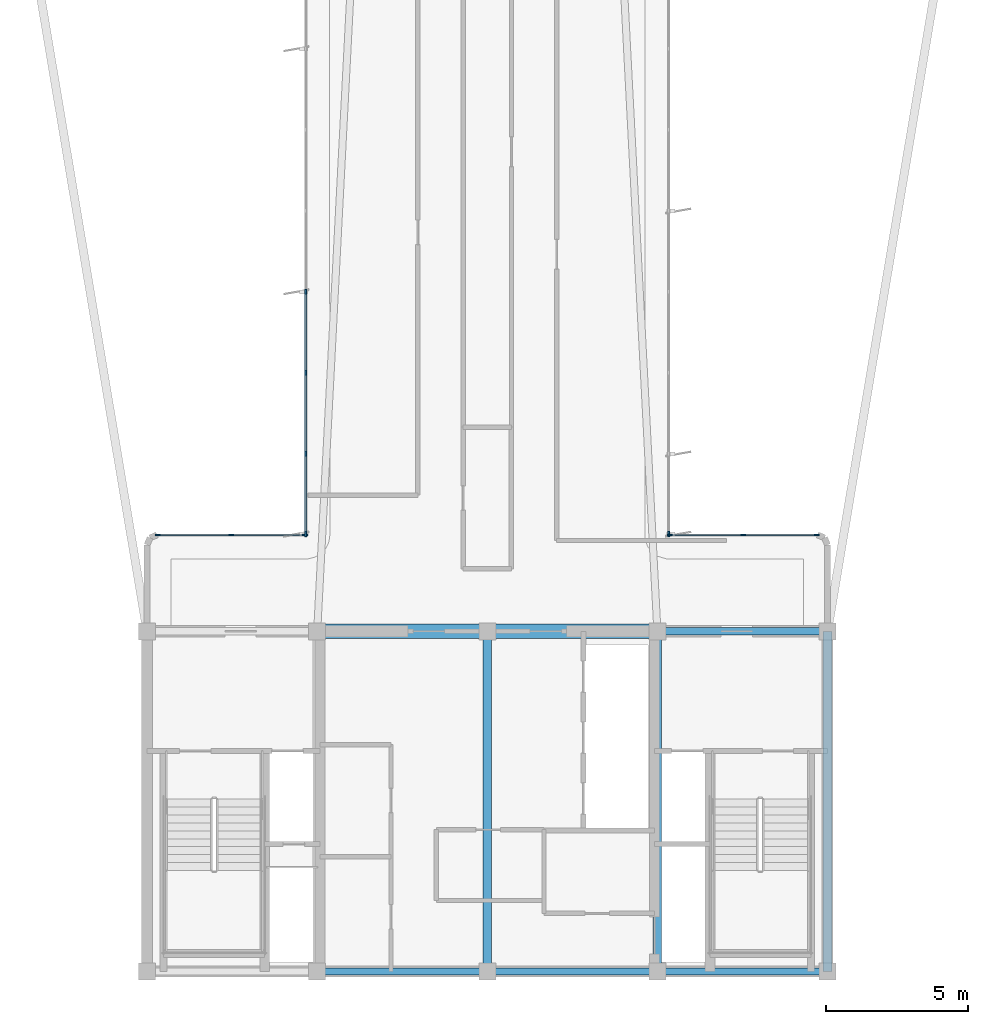
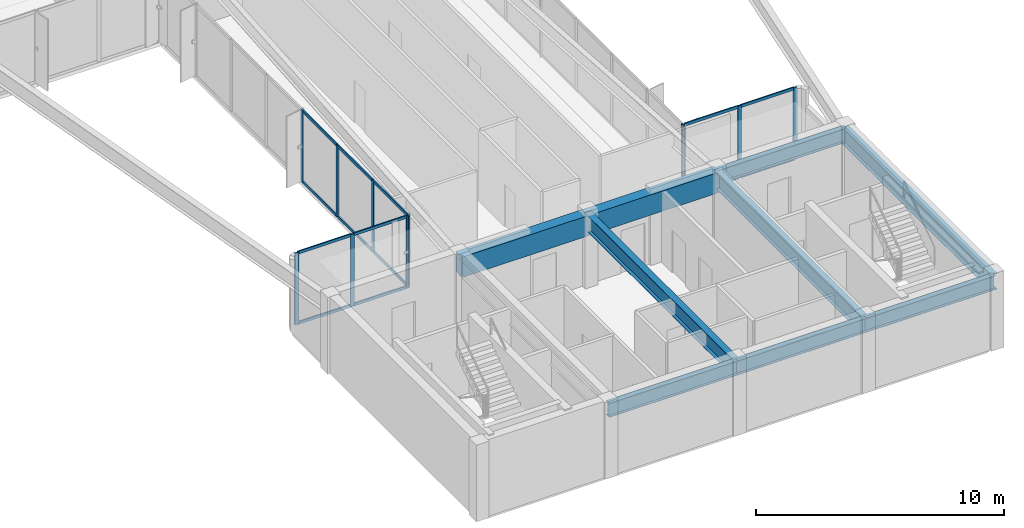
# One storey, part 2 of 16: 25 members, 8 beams, 4 elements without a shape of their own.
"""IFC4 building model written with IfcOpenShell, lengths in metres."""

from ifc_helpers import new_model, si_unit, direction, frame, origin, origin_2d, place, context, subcontext, project, spatial, rectangle, i_section, extrude, source, transform, mapped, material, layer, layer_set, material_profile, profile_set, type_object, element, aggregate, save


model = new_model("IFC4")

# Units and contexts
model_context = context("Model", 3, precision=1e-05, world=origin(), true_north=direction((0.0, 1.0)))
body_context = subcontext(model_context, "Body", "Model", "MODEL_VIEW")
ifc_project = project(units=[si_unit("LENGTHUNIT", "METRE"), si_unit("AREAUNIT", "SQUARE_METRE"), si_unit("VOLUMEUNIT", "CUBIC_METRE"), si_unit("PLANEANGLEUNIT", "RADIAN"), si_unit("MASSUNIT", "GRAM", prefix="KILO")], contexts=[model_context])

# Site, building, storey
site_placement = place(None, origin())
site = spatial("IfcSite", under=ifc_project, at=site_placement, CompositionType="ELEMENT")
building_placement = place(site_placement, origin())
building = spatial("IfcBuilding", under=site, at=building_placement, Name="Brelvock Crest Care Tower", CompositionType="ELEMENT")
storey_placement = place(building_placement, frame((0.0, 0.0, 234.360107421875)))
storey = spatial("IfcBuildingStorey", under=building, at=storey_placement, Name="L59", CompositionType="ELEMENT", Elevation=234.360107421875)

# Beams
ifc_material_1 = material(Name="Steel Grade 350", Category="steel")
ifc_material_profile_1 = material_profile(ifc_material_1, i_section(OverallWidth=0.25, OverallDepth=0.699951171875, WebThickness=0.011962890625, FlangeThickness=0.02001953125, at=origin_2d()), Name="700WB150")
ifc_profile_set_1 = profile_set([ifc_material_profile_1], Name="Steel Grade 350")
beam_type_1 = type_object("IfcBeamType", Name="BM-G4", PredefinedType="BEAM", material=ifc_profile_set_1)
shared_shape_1 = source(origin(), body_context, "Body", "SweptSolid", [
    extrude(i_section(OverallWidth=0.25, OverallDepth=0.699951171875, WebThickness=0.011962890625, FlangeThickness=0.02001953125, at=origin_2d()), origin(), (0.0, 0.0, 1.0), 6.0),
])
for number, where, z_axis, x_axis, name in (
    (1, (30.0, 6.0, 3.179931640625), (1.0, 0.0, 0.0), (0.0, 1.0, 0.0), "BM-CORES-L59-2"),
    (2, (36.0, 6.0, 3.179931640625), (1.0, 0.0, 0.0), (0.0, 1.0, 0.0), "BM-CORES-L59-3"),
    (3, (42.0, 6.0, 3.179931640625), (1.0, 0.0, 0.0), (0.0, 1.0, 0.0), "BM-CORES-L59-4"),
    (4, (42.0, 18.0, 3.179931640625), (1.0, 0.0, 0.0), (0.0, 1.0, 0.0), "BM-COREN-L59-4"),
):
    element("IfcBeam", number, at=place(storey_placement, frame(where, z_axis=z_axis, x_axis=x_axis)), inside=storey, type_object=beam_type_1, Name=name, PredefinedType="BEAM", context=body_context, shape_type="MappedRepresentation", body=[
        mapped(shared_shape_1, transform((0.0, 0.0, 0.0), x_axis=(1.0, 0.0, 0.0), y_axis=(0.0, 1.0, 0.0), z_axis=(0.0, 0.0, 1.0), scale=1.0)),
    ])
ifc_material_profile_2 = material_profile(ifc_material_1, i_section(OverallWidth=0.300048828125, OverallDepth=0.800048828125, WebThickness=0.013916015625, FlangeThickness=0.02197265625, at=origin_2d()), Name="800WB192")
ifc_profile_set_2 = profile_set([ifc_material_profile_2], Name="Steel Grade 350")
beam_type_2 = type_object("IfcBeamType", Name="BM-G5", PredefinedType="BEAM", material=ifc_profile_set_2)
shared_shape_2 = source(origin(), body_context, "Body", "SweptSolid", [
    extrude(i_section(OverallWidth=0.300048828125, OverallDepth=0.800048828125, WebThickness=0.013916015625, FlangeThickness=0.02197265625, at=origin_2d()), origin(), (0.0, 0.0, 1.0), 12.0),
])
for number, where, z_axis, x_axis, name in (
    (5, (36.0, 6.0, 3.1298828125), (0.0, 1.0, 0.0), (-1.0, 0.0, 0.0), "BM-COREX-L59-3"),
    (6, (42.0, 6.0, 3.1298828125), (0.0, 1.0, 0.0), (-1.0, 0.0, 0.0), "BM-COREX-L59-4"),
    (7, (48.0, 6.0, 3.1298828125), (0.0, 1.0, 0.0), (-1.0, 0.0, 0.0), "BM-COREX-L59-5"),
):
    element("IfcBeam", number, at=place(storey_placement, frame(where, z_axis=z_axis, x_axis=x_axis)), inside=storey, type_object=beam_type_2, Name=name, PredefinedType="BEAM", context=body_context, shape_type="MappedRepresentation", body=[
        mapped(shared_shape_2, transform((0.0, 0.0, 0.0), x_axis=(1.0, 0.0, 0.0), y_axis=(0.0, 1.0, 0.0), z_axis=(0.0, 0.0, 1.0), scale=1.0)),
    ])
ifc_material_2 = material(Name="Concrete S65 (65 MPa)", Category="concrete")
ifc_material_profile_3 = material_profile(ifc_material_2, rectangle(XDim=0.5, YDim=1.0, at=origin_2d()), Name="RC500x1000")
ifc_profile_set_3 = profile_set([ifc_material_profile_3], Name="Concrete S65 (65 MPa)")
beam_type_3 = type_object("IfcBeamType", Name="BM-LN2", PredefinedType="LINTEL", material=ifc_profile_set_3)
shared_shape_3 = source(origin(), body_context, "Body", "SweptSolid", [
    extrude(rectangle(XDim=0.5, YDim=1.0, at=origin_2d()), origin(), (0.0, 0.0, 1.0), 12.0),
])
beam_placement = place(storey_placement, frame((30.0, 18.0, 3.02978515625), z_axis=(1.0, 0.0, 0.0), x_axis=(0.0, 1.0, 0.0)))
element("IfcBeam", 8, at=beam_placement, inside=storey, type_object=beam_type_3, Name="L59 Core Coupling Lintel Beam", PredefinedType="LINTEL", context=body_context, shape_type="MappedRepresentation", body=[
    mapped(shared_shape_3, transform((0.0, 0.0, 0.0), x_axis=(1.0, 0.0, 0.0), y_axis=(0.0, 1.0, 0.0), z_axis=(0.0, 0.0, 1.0), scale=1.0)),
])

# Curtain wall, members
ifc_material_3 = material(Name="Dark Glass Double Glazed Low-E", Category="glass")
ifc_layer = layer(ifc_material_3, 0.239990234375, Name="CWS-5")
ifc_layer_set = layer_set([ifc_layer], Name="Dark Glass Double Glazed Low-E")
curtain_wall_type = type_object("IfcCurtainWallType", Name="CWS-5", PredefinedType="NOTDEFINED", material=ifc_layer_set)
curtain_wall_1_placement = place(storey_placement, origin())
curtain_wall_1 = element("IfcCurtainWall", 9, at=curtain_wall_1_placement, inside=storey, type_object=curtain_wall_type, Name="L59 Curtain Wall E10", PredefinedType="NOTDEFINED")
ifc_material_4 = material(Name="Aluminium 6063-T6", Category="aluminium")
ifc_material_profile_4 = material_profile(ifc_material_4, rectangle(XDim=0.06005859375, YDim=0.179931640625, at=origin_2d()), Name="ALU60x180")
ifc_profile_set_4 = profile_set([ifc_material_profile_4], Name="Aluminium 6063-T6")
member_type_1 = type_object("IfcMemberType", Name="CWM-2", PredefinedType="MULLION", material=ifc_profile_set_4)
shared_shape_4 = source(origin(), body_context, "Body", "SweptSolid", [
    extrude(rectangle(XDim=0.06005859375, YDim=0.179931640625, at=origin_2d()), origin(), (0.0, 0.0, 1.0), 3.52978515625),
])
member_1_placement = place(storey_placement, frame((24.3798828125, 21.39990234375, 0.0), z_axis=(0.0, 0.0, 1.0), x_axis=(0.0, 1.0, 0.0)))
member_1 = element("IfcMember", 10, at=member_1_placement, type_object=member_type_1, Name="CW-5 mullion 1", PredefinedType="MULLION", context=body_context, shape_type="MappedRepresentation", body=[
    mapped(shared_shape_4, transform((0.0, 0.0, 0.0), x_axis=(1.0, 0.0, 0.0), y_axis=(0.0, 1.0, 0.0), z_axis=(0.0, 0.0, 1.0), scale=1.0)),
])
member_2_placement = place(storey_placement, frame((26.97509765625, 21.39990234375, 0.0), z_axis=(0.0, 0.0, 1.0), x_axis=(0.0, 1.0, 0.0)))
member_2 = element("IfcMember", 11, at=member_2_placement, type_object=member_type_1, Name="CW-5 mullion 2", PredefinedType="MULLION", context=body_context, shape_type="MappedRepresentation", body=[
    mapped(shared_shape_4, transform((0.0, 0.0, 0.0), x_axis=(1.0, 0.0, 0.0), y_axis=(0.0, 1.0, 0.0), z_axis=(0.0, 0.0, 1.0), scale=1.0)),
])
member_3_placement = place(storey_placement, frame((29.570068359375, 21.39990234375, 0.0), z_axis=(0.0, 0.0, 1.0), x_axis=(0.0, 1.0, 0.0)))
member_3 = element("IfcMember", 12, at=member_3_placement, type_object=member_type_1, Name="CW-5 mullion 3", PredefinedType="MULLION", context=body_context, shape_type="MappedRepresentation", body=[
    mapped(shared_shape_4, transform((0.0, 0.0, 0.0), x_axis=(1.0, 0.0, 0.0), y_axis=(0.0, 1.0, 0.0), z_axis=(0.0, 0.0, 1.0), scale=1.0)),
])

curtain_wall_2_placement = place(storey_placement, origin())
curtain_wall_2 = element("IfcCurtainWall", 13, at=curtain_wall_2_placement, inside=storey, type_object=curtain_wall_type, Name="L59 Curtain Wall E11", PredefinedType="NOTDEFINED")
member_4_placement = place(storey_placement, frame((29.60009765625, 21.429931640625, 0.0), z_axis=(0.0, 0.0, 1.0), x_axis=(-1.0, 0.0, 0.0)))
member_4 = element("IfcMember", 14, at=member_4_placement, type_object=member_type_1, Name="CW-5 mullion 1", PredefinedType="MULLION", context=body_context, shape_type="MappedRepresentation", body=[
    mapped(shared_shape_4, transform((0.0, 0.0, 0.0), x_axis=(1.0, 0.0, 0.0), y_axis=(0.0, 1.0, 0.0), z_axis=(0.0, 0.0, 1.0), scale=1.0)),
])
member_5_placement = place(storey_placement, frame((29.60009765625, 24.257080078125, 0.0), z_axis=(0.0, 0.0, 1.0), x_axis=(-1.0, 0.0, 0.0)))
member_5 = element("IfcMember", 15, at=member_5_placement, type_object=member_type_1, Name="CW-5 mullion 2", PredefinedType="MULLION", context=body_context, shape_type="MappedRepresentation", body=[
    mapped(shared_shape_4, transform((0.0, 0.0, 0.0), x_axis=(1.0, 0.0, 0.0), y_axis=(0.0, 1.0, 0.0), z_axis=(0.0, 0.0, 1.0), scale=1.0)),
])
member_6_placement = place(storey_placement, frame((29.60009765625, 27.1142578125, 0.0), z_axis=(0.0, 0.0, 1.0), x_axis=(-1.0, 0.0, 0.0)))
member_6 = element("IfcMember", 16, at=member_6_placement, type_object=member_type_1, Name="CW-5 mullion 3", PredefinedType="MULLION", context=body_context, shape_type="MappedRepresentation", body=[
    mapped(shared_shape_4, transform((0.0, 0.0, 0.0), x_axis=(1.0, 0.0, 0.0), y_axis=(0.0, 1.0, 0.0), z_axis=(0.0, 0.0, 1.0), scale=1.0)),
])
member_7_placement = place(storey_placement, frame((29.60009765625, 29.971435546875, 0.0), z_axis=(0.0, 0.0, 1.0), x_axis=(-1.0, 0.0, 0.0)))
member_7 = element("IfcMember", 17, at=member_7_placement, type_object=member_type_1, Name="CW-5 mullion 4", PredefinedType="MULLION", context=body_context, shape_type="MappedRepresentation", body=[
    mapped(shared_shape_4, transform((0.0, 0.0, 0.0), x_axis=(1.0, 0.0, 0.0), y_axis=(0.0, 1.0, 0.0), z_axis=(0.0, 0.0, 1.0), scale=1.0)),
])

# Curtain wall, member
curtain_wall_3_placement = place(storey_placement, origin())
curtain_wall_3 = element("IfcCurtainWall", 18, at=curtain_wall_3_placement, inside=storey, type_object=curtain_wall_type, Name="L59 Curtain Wall E45", PredefinedType="NOTDEFINED")
member_8_placement = place(storey_placement, frame((42.39990234375, 21.429931640625, 0.0), z_axis=(0.0, 0.0, 1.0), x_axis=(1.0, 0.0, 0.0)))
member_8 = element("IfcMember", 19, at=member_8_placement, type_object=member_type_1, Name="CW-5 mullion 8", PredefinedType="MULLION", context=body_context, shape_type="MappedRepresentation", body=[
    mapped(shared_shape_4, transform((0.0, 0.0, 0.0), x_axis=(1.0, 0.0, 0.0), y_axis=(0.0, 1.0, 0.0), z_axis=(0.0, 0.0, 1.0), scale=1.0)),
])
aggregate(curtain_wall_3, [member_8])

# Curtain wall, members
curtain_wall_4_placement = place(storey_placement, origin())
curtain_wall_4 = element("IfcCurtainWall", 20, at=curtain_wall_4_placement, inside=storey, type_object=curtain_wall_type, Name="L59 Curtain Wall E46", PredefinedType="NOTDEFINED")
member_9_placement = place(storey_placement, frame((42.429931640625, 21.39990234375, 0.0), z_axis=(0.0, 0.0, 1.0), x_axis=(0.0, 1.0, 0.0)))
member_9 = element("IfcMember", 21, at=member_9_placement, type_object=member_type_1, Name="CW-5 mullion 1", PredefinedType="MULLION", context=body_context, shape_type="MappedRepresentation", body=[
    mapped(shared_shape_4, transform((0.0, 0.0, 0.0), x_axis=(1.0, 0.0, 0.0), y_axis=(0.0, 1.0, 0.0), z_axis=(0.0, 0.0, 1.0), scale=1.0)),
])
member_10_placement = place(storey_placement, frame((45.02490234375, 21.39990234375, 0.0), z_axis=(0.0, 0.0, 1.0), x_axis=(0.0, 1.0, 0.0)))
member_10 = element("IfcMember", 22, at=member_10_placement, type_object=member_type_1, Name="CW-5 mullion 2", PredefinedType="MULLION", context=body_context, shape_type="MappedRepresentation", body=[
    mapped(shared_shape_4, transform((0.0, 0.0, 0.0), x_axis=(1.0, 0.0, 0.0), y_axis=(0.0, 1.0, 0.0), z_axis=(0.0, 0.0, 1.0), scale=1.0)),
])
member_11_placement = place(storey_placement, frame((47.6201171875, 21.39990234375, 0.0), z_axis=(0.0, 0.0, 1.0), x_axis=(0.0, 1.0, 0.0)))
member_11 = element("IfcMember", 23, at=member_11_placement, type_object=member_type_1, Name="CW-5 mullion 3", PredefinedType="MULLION", context=body_context, shape_type="MappedRepresentation", body=[
    mapped(shared_shape_4, transform((0.0, 0.0, 0.0), x_axis=(1.0, 0.0, 0.0), y_axis=(0.0, 1.0, 0.0), z_axis=(0.0, 0.0, 1.0), scale=1.0)),
])

# Member
ifc_material_profile_5 = material_profile(ifc_material_4, rectangle(XDim=0.06005859375, YDim=0.139892578125, at=origin_2d()), Name="ALU60x140")
ifc_profile_set_5 = profile_set([ifc_material_profile_5], Name="Aluminium 6063-T6")
member_type_2 = type_object("IfcMemberType", Name="CWT-2", PredefinedType="USERDEFINED", material=ifc_profile_set_5)
shared_shape_5 = source(origin(), body_context, "Body", "SweptSolid", [
    extrude(rectangle(XDim=0.06005859375, YDim=0.139892578125, at=origin_2d()), origin(), (0.0, 0.0, 1.0), 2.53515625),
])
member_12_placement = place(storey_placement, frame((24.409912109375, 21.39990234375, 0.02978515625), z_axis=(1.0, 0.0, 0.0), x_axis=(0.0, 1.0, 0.0)))
member_12 = element("IfcMember", 24, at=member_12_placement, type_object=member_type_2, Name="CW-5 transom 1.1", ObjectType="TRANSOM", PredefinedType="USERDEFINED", context=body_context, shape_type="MappedRepresentation", body=[
    mapped(shared_shape_5, transform((0.0, 0.0, 0.0), x_axis=(1.0, 0.0, 0.0), y_axis=(0.0, 1.0, 0.0), z_axis=(0.0, 0.0, 1.0), scale=1.0)),
])

member_13_placement = place(storey_placement, frame((24.409912109375, 21.39990234375, 3.5), z_axis=(1.0, 0.0, 0.0), x_axis=(0.0, 1.0, 0.0)))
member_13 = element("IfcMember", 25, at=member_13_placement, type_object=member_type_2, Name="CW-5 transom 1.2", ObjectType="TRANSOM", PredefinedType="USERDEFINED", context=body_context, shape_type="MappedRepresentation", body=[
    mapped(shared_shape_5, transform((0.0, 0.0, 0.0), x_axis=(1.0, 0.0, 0.0), y_axis=(0.0, 1.0, 0.0), z_axis=(0.0, 0.0, 1.0), scale=1.0)),
])

member_14_placement = place(storey_placement, frame((27.0048828125, 21.39990234375, 0.02978515625), z_axis=(1.0, 0.0, 0.0), x_axis=(0.0, 1.0, 0.0)))
member_14 = element("IfcMember", 26, at=member_14_placement, type_object=member_type_2, Name="CW-5 transom 2.1", ObjectType="TRANSOM", PredefinedType="USERDEFINED", context=body_context, shape_type="MappedRepresentation", body=[
    mapped(shared_shape_5, transform((0.0, 0.0, 0.0), x_axis=(1.0, 0.0, 0.0), y_axis=(0.0, 1.0, 0.0), z_axis=(0.0, 0.0, 1.0), scale=1.0)),
])

member_15_placement = place(storey_placement, frame((27.0048828125, 21.39990234375, 3.5), z_axis=(1.0, 0.0, 0.0), x_axis=(0.0, 1.0, 0.0)))
member_15 = element("IfcMember", 27, at=member_15_placement, type_object=member_type_2, Name="CW-5 transom 2.2", ObjectType="TRANSOM", PredefinedType="USERDEFINED", context=body_context, shape_type="MappedRepresentation", body=[
    mapped(shared_shape_5, transform((0.0, 0.0, 0.0), x_axis=(1.0, 0.0, 0.0), y_axis=(0.0, 1.0, 0.0), z_axis=(0.0, 0.0, 1.0), scale=1.0)),
])

aggregate(curtain_wall_1, [member_1, member_2, member_3, member_12, member_13, member_14, member_15])

member_16_placement = place(storey_placement, frame((42.4599609375, 21.39990234375, 0.02978515625), z_axis=(1.0, 0.0, 0.0), x_axis=(0.0, 1.0, 0.0)))
member_16 = element("IfcMember", 28, at=member_16_placement, type_object=member_type_2, Name="CW-5 transom 1.1", ObjectType="TRANSOM", PredefinedType="USERDEFINED", context=body_context, shape_type="MappedRepresentation", body=[
    mapped(shared_shape_5, transform((0.0, 0.0, 0.0), x_axis=(1.0, 0.0, 0.0), y_axis=(0.0, 1.0, 0.0), z_axis=(0.0, 0.0, 1.0), scale=1.0)),
])

member_17_placement = place(storey_placement, frame((42.4599609375, 21.39990234375, 3.5), z_axis=(1.0, 0.0, 0.0), x_axis=(0.0, 1.0, 0.0)))
member_17 = element("IfcMember", 29, at=member_17_placement, type_object=member_type_2, Name="CW-5 transom 1.2", ObjectType="TRANSOM", PredefinedType="USERDEFINED", context=body_context, shape_type="MappedRepresentation", body=[
    mapped(shared_shape_5, transform((0.0, 0.0, 0.0), x_axis=(1.0, 0.0, 0.0), y_axis=(0.0, 1.0, 0.0), z_axis=(0.0, 0.0, 1.0), scale=1.0)),
])

member_18_placement = place(storey_placement, frame((45.054931640625, 21.39990234375, 0.02978515625), z_axis=(1.0, 0.0, 0.0), x_axis=(0.0, 1.0, 0.0)))
member_18 = element("IfcMember", 30, at=member_18_placement, type_object=member_type_2, Name="CW-5 transom 2.1", ObjectType="TRANSOM", PredefinedType="USERDEFINED", context=body_context, shape_type="MappedRepresentation", body=[
    mapped(shared_shape_5, transform((0.0, 0.0, 0.0), x_axis=(1.0, 0.0, 0.0), y_axis=(0.0, 1.0, 0.0), z_axis=(0.0, 0.0, 1.0), scale=1.0)),
])

member_19_placement = place(storey_placement, frame((45.054931640625, 21.39990234375, 3.5), z_axis=(1.0, 0.0, 0.0), x_axis=(0.0, 1.0, 0.0)))
member_19 = element("IfcMember", 31, at=member_19_placement, type_object=member_type_2, Name="CW-5 transom 2.2", ObjectType="TRANSOM", PredefinedType="USERDEFINED", context=body_context, shape_type="MappedRepresentation", body=[
    mapped(shared_shape_5, transform((0.0, 0.0, 0.0), x_axis=(1.0, 0.0, 0.0), y_axis=(0.0, 1.0, 0.0), z_axis=(0.0, 0.0, 1.0), scale=1.0)),
])

aggregate(curtain_wall_4, [member_9, member_10, member_11, member_16, member_17, member_18, member_19])

shared_shape_6 = source(origin(), body_context, "Body", "SweptSolid", [
    extrude(rectangle(XDim=0.06005859375, YDim=0.139892578125, at=origin_2d()), origin(), (0.0, 0.0, 1.0), 2.76708984375),
])
member_20_placement = place(storey_placement, frame((29.60009765625, 21.4599609375, 0.02978515625), z_axis=(0.0, 1.0, 0.0), x_axis=(-1.0, 0.0, 0.0)))
member_20 = element("IfcMember", 32, at=member_20_placement, type_object=member_type_2, Name="CW-5 transom 1.1", ObjectType="TRANSOM", PredefinedType="USERDEFINED", context=body_context, shape_type="MappedRepresentation", body=[
    mapped(shared_shape_6, transform((0.0, 0.0, 0.0), x_axis=(1.0, 0.0, 0.0), y_axis=(0.0, 1.0, 0.0), z_axis=(0.0, 0.0, 1.0), scale=1.0)),
])

member_21_placement = place(storey_placement, frame((29.60009765625, 21.4599609375, 3.5), z_axis=(0.0, 1.0, 0.0), x_axis=(-1.0, 0.0, 0.0)))
member_21 = element("IfcMember", 33, at=member_21_placement, type_object=member_type_2, Name="CW-5 transom 1.2", ObjectType="TRANSOM", PredefinedType="USERDEFINED", context=body_context, shape_type="MappedRepresentation", body=[
    mapped(shared_shape_6, transform((0.0, 0.0, 0.0), x_axis=(1.0, 0.0, 0.0), y_axis=(0.0, 1.0, 0.0), z_axis=(0.0, 0.0, 1.0), scale=1.0)),
])

shared_shape_7 = source(origin(), body_context, "Body", "SweptSolid", [
    extrude(rectangle(XDim=0.06005859375, YDim=0.139892578125, at=origin_2d()), origin(), (0.0, 0.0, 1.0), 2.797119140625),
])
member_22_placement = place(storey_placement, frame((29.60009765625, 24.287109375, 0.02978515625), z_axis=(0.0, 1.0, 0.0), x_axis=(-1.0, 0.0, 0.0)))
member_22 = element("IfcMember", 34, at=member_22_placement, type_object=member_type_2, Name="CW-5 transom 2.1", ObjectType="TRANSOM", PredefinedType="USERDEFINED", context=body_context, shape_type="MappedRepresentation", body=[
    mapped(shared_shape_7, transform((0.0, 0.0, 0.0), x_axis=(1.0, 0.0, 0.0), y_axis=(0.0, 1.0, 0.0), z_axis=(0.0, 0.0, 1.0), scale=1.0)),
])

member_23_placement = place(storey_placement, frame((29.60009765625, 24.287109375, 3.5), z_axis=(0.0, 1.0, 0.0), x_axis=(-1.0, 0.0, 0.0)))
member_23 = element("IfcMember", 35, at=member_23_placement, type_object=member_type_2, Name="CW-5 transom 2.2", ObjectType="TRANSOM", PredefinedType="USERDEFINED", context=body_context, shape_type="MappedRepresentation", body=[
    mapped(shared_shape_7, transform((0.0, 0.0, 0.0), x_axis=(1.0, 0.0, 0.0), y_axis=(0.0, 1.0, 0.0), z_axis=(0.0, 0.0, 1.0), scale=1.0)),
])

member_24_placement = place(storey_placement, frame((29.60009765625, 27.144287109375, 0.02978515625), z_axis=(0.0, 1.0, 0.0), x_axis=(-1.0, 0.0, 0.0)))
member_24 = element("IfcMember", 36, at=member_24_placement, type_object=member_type_2, Name="CW-5 transom 3.1", ObjectType="TRANSOM", PredefinedType="USERDEFINED", context=body_context, shape_type="MappedRepresentation", body=[
    mapped(shared_shape_7, transform((0.0, 0.0, 0.0), x_axis=(1.0, 0.0, 0.0), y_axis=(0.0, 1.0, 0.0), z_axis=(0.0, 0.0, 1.0), scale=1.0)),
])

member_25_placement = place(storey_placement, frame((29.60009765625, 27.144287109375, 3.5), z_axis=(0.0, 1.0, 0.0), x_axis=(-1.0, 0.0, 0.0)))
member_25 = element("IfcMember", 37, at=member_25_placement, type_object=member_type_2, Name="CW-5 transom 3.2", ObjectType="TRANSOM", PredefinedType="USERDEFINED", context=body_context, shape_type="MappedRepresentation", body=[
    mapped(shared_shape_7, transform((0.0, 0.0, 0.0), x_axis=(1.0, 0.0, 0.0), y_axis=(0.0, 1.0, 0.0), z_axis=(0.0, 0.0, 1.0), scale=1.0)),
])

aggregate(curtain_wall_2, [member_4, member_5, member_6, member_7, member_20, member_21, member_22, member_23, member_24, member_25])

save(model, "model.ifc")
